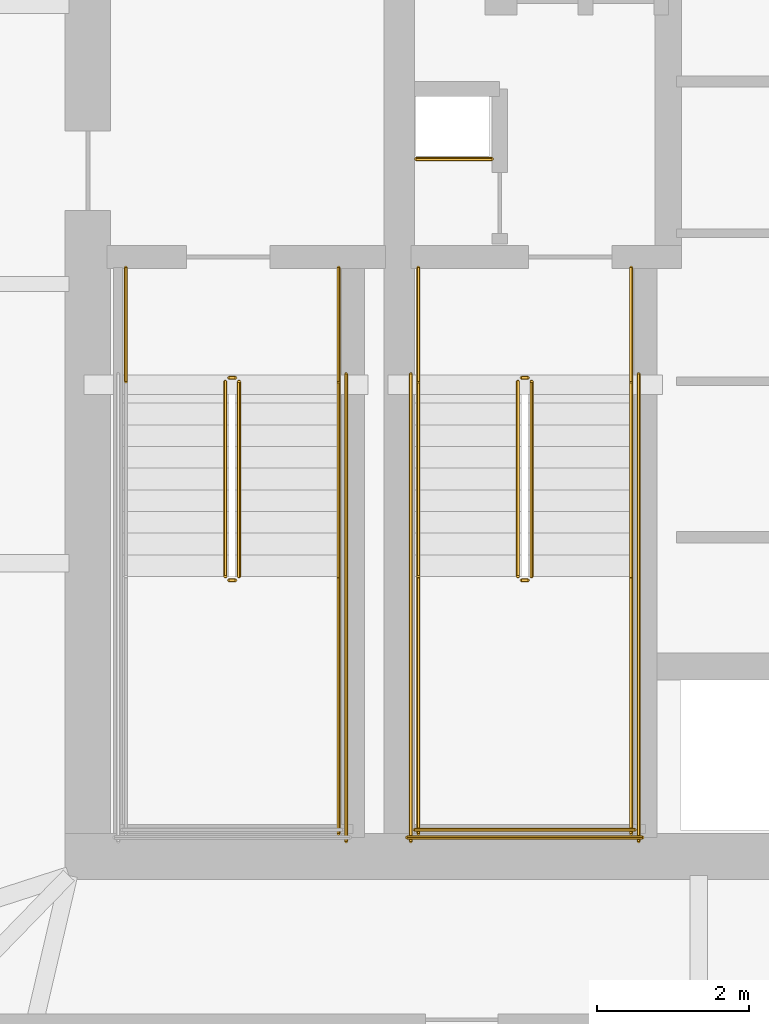
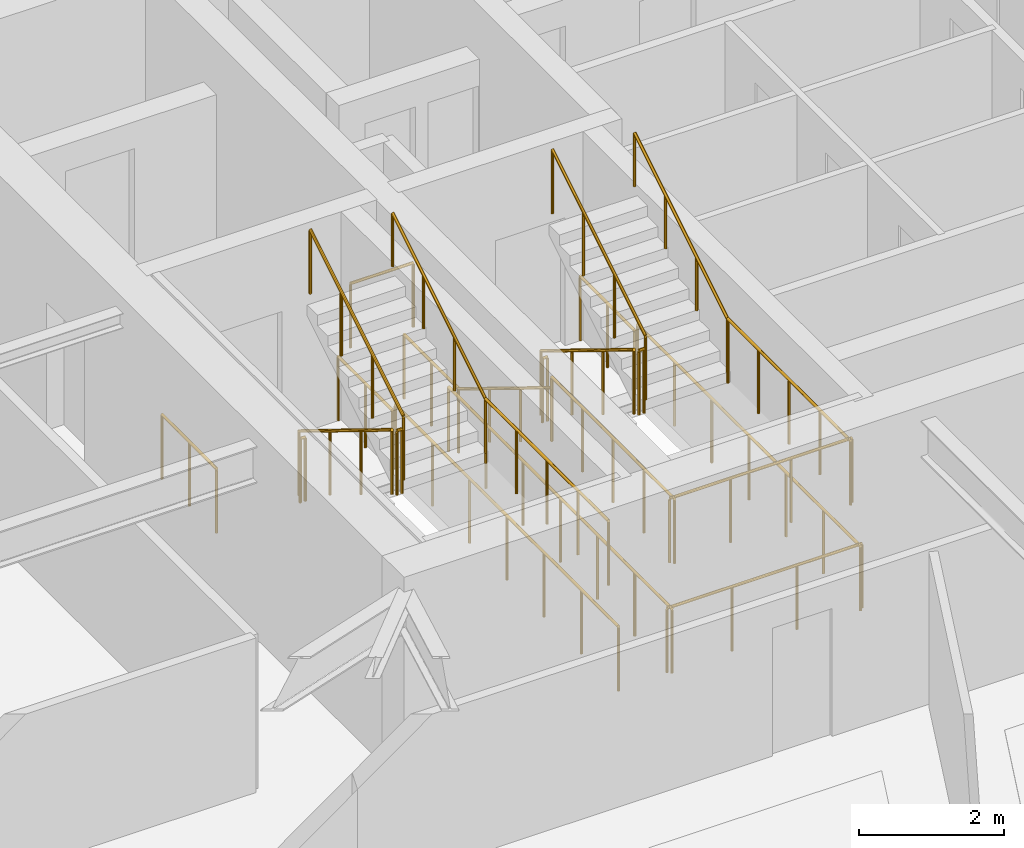
# One storey, part 21 of 23: 24 railings.
"""IFC4 building model written with IfcOpenShell, lengths in metres."""

from ifc_helpers import new_model, si_unit, direction, frame, origin, origin_2d, place, context, subcontext, project, spatial, circle, extrude, material, type_object, element, save


model = new_model("IFC4")

# Units and contexts
model_context = context("Model", 3, precision=1e-05, world=origin(), true_north=direction((0.0, 1.0)))
body_context = subcontext(model_context, "Body", "Model", "MODEL_VIEW")
ifc_project = project(units=[si_unit("LENGTHUNIT", "METRE"), si_unit("AREAUNIT", "SQUARE_METRE"), si_unit("VOLUMEUNIT", "CUBIC_METRE"), si_unit("PLANEANGLEUNIT", "RADIAN"), si_unit("MASSUNIT", "GRAM", prefix="KILO")], contexts=[model_context])

# Site, building, storey
site_placement = place(None, origin())
site = spatial("IfcSite", under=ifc_project, at=site_placement, CompositionType="ELEMENT")
building_placement = place(site_placement, origin())
building = spatial("IfcBuilding", under=site, at=building_placement, Name="Bramvorn Convention Spire", CompositionType="ELEMENT")
storey_placement = place(building_placement, frame((0.0, 0.0, 69.39990234375)))
storey = spatial("IfcBuildingStorey", under=building, at=storey_placement, Name="L15", CompositionType="ELEMENT", Elevation=69.39990234375)

# Railings
ifc_material_1 = material(Name="Painted Steel Balustrade & Guardrail", Category="steel")
railing_type_1 = type_object("IfcRailingType", Name="RL-STAIR-GUARD-1100", PredefinedType="GUARDRAIL", material=ifc_material_1)
railing_1_placement = place(storey_placement, frame((28.81005859375, 25.050048828125, 0.175048828125)))
element("IfcRailing", 1, at=railing_1_placement, inside=storey, type_object=railing_type_1, Name="L15 ST1 stair guard 1", PredefinedType="GUARDRAIL", context=body_context, shape_type="SweptSolid", body=[
    extrude(circle(Radius=0.02392578125, at=origin_2d()), frame((0.0, 0.0, 1.076171875), z_axis=(0.0, -0.852173129349, 0.523259933127), x_axis=(1.0, 0.0, 0.0)), (0.0, 0.0, 1.0), 3.009765625),
    extrude(circle(Radius=0.02099609375, at=origin_2d()), origin(), (0.0, 0.0, 1.0), 1.052001953125),
    extrude(circle(Radius=0.02099609375, at=origin_2d()), frame((0.0, -0.85498046875, 0.52490234375)), (0.0, 0.0, 1.0), 1.052001953125),
    extrude(circle(Radius=0.02099609375, at=origin_2d()), frame((0.0, -1.7099609375, 1.050048828125)), (0.0, 0.0, 1.0), 1.052001953125),
    extrude(circle(Radius=0.02099609375, at=origin_2d()), frame((0.0, -2.56494140625, 1.574951171875)), (0.0, 0.0, 1.0), 1.052001953125),
])
railing_2_placement = place(storey_placement, frame((28.860107421875, 22.43505859375, 1.75)))
element("IfcRailing", 2, at=railing_2_placement, inside=storey, type_object=railing_type_1, Name="L15 ST1 stair guard 2", PredefinedType="GUARDRAIL", context=body_context, shape_type="SweptSolid", body=[
    extrude(circle(Radius=0.02392578125, at=origin_2d()), frame((0.0, 0.0, 1.076171875), z_axis=(1.0, 0.0, 0.0), x_axis=(0.0, 1.0, 0.0)), (0.0, 0.0, 1.0), 0.079833984375),
    extrude(circle(Radius=0.02099609375, at=origin_2d()), origin(), (0.0, 0.0, 1.0), 1.052001953125),
    extrude(circle(Radius=0.02099609375, at=origin_2d()), frame((0.079833984375, 0.0, 0.0)), (0.0, 0.0, 1.0), 1.052001953125),
])
railing_3_placement = place(storey_placement, frame((30.300048828125, 22.485107421875, 1.75)))
element("IfcRailing", 3, at=railing_3_placement, inside=storey, type_object=railing_type_1, Name="L15 ST1 stair guard 4", PredefinedType="GUARDRAIL", context=body_context, shape_type="SweptSolid", body=[
    extrude(circle(Radius=0.02392578125, at=origin_2d()), frame((0.0, 0.0, 1.076171875), z_axis=(0.0, -1.0, 0.0), x_axis=(1.0, 0.0, 0.0)), (0.0, 0.0, 1.0), 3.385009765625),
    extrude(circle(Radius=0.02099609375, at=origin_2d()), origin(), (0.0, 0.0, 1.0), 1.052001953125),
    extrude(circle(Radius=0.02099609375, at=origin_2d()), frame((0.0, -0.84619140625, 0.0)), (0.0, 0.0, 1.0), 1.052001953125),
    extrude(circle(Radius=0.02099609375, at=origin_2d()), frame((0.0, -1.6923828125, 0.0)), (0.0, 0.0, 1.0), 1.052001953125),
    extrude(circle(Radius=0.02099609375, at=origin_2d()), frame((0.0, -2.538818359375, 0.0)), (0.0, 0.0, 1.0), 1.052001953125),
    extrude(circle(Radius=0.02099609375, at=origin_2d()), frame((0.0, -3.385009765625, 0.0)), (0.0, 0.0, 1.0), 1.052001953125),
])
railing_4_placement = place(storey_placement, frame((28.989990234375, 22.485107421875, 1.925048828125)))
element("IfcRailing", 4, at=railing_4_placement, inside=storey, type_object=railing_type_1, Name="L15 ST1 stair guard 6", PredefinedType="GUARDRAIL", context=body_context, shape_type="SweptSolid", body=[
    extrude(circle(Radius=0.02392578125, at=origin_2d()), frame((0.0, 0.0, 1.076171875), z_axis=(0.0, 0.852173129349, 0.523259933127), x_axis=(-1.0, 0.0, 0.0)), (0.0, 0.0, 1.0), 3.009765625),
    extrude(circle(Radius=0.02099609375, at=origin_2d()), origin(), (0.0, 0.0, 1.0), 1.052001953125),
    extrude(circle(Radius=0.02099609375, at=origin_2d()), frame((0.0, 0.85498046875, 0.52490234375)), (0.0, 0.0, 1.0), 1.052001953125),
    extrude(circle(Radius=0.02099609375, at=origin_2d()), frame((0.0, 1.7099609375, 1.050048828125)), (0.0, 0.0, 1.0), 1.052001953125),
    extrude(circle(Radius=0.02099609375, at=origin_2d()), frame((0.0, 2.56494140625, 1.574951171875)), (0.0, 0.0, 1.0), 1.052001953125),
])
railing_5_placement = place(storey_placement, frame((28.860107421875, 25.10009765625, 0.0)))
element("IfcRailing", 5, at=railing_5_placement, inside=storey, type_object=railing_type_1, Name="L15 ST1 stair guard 7", PredefinedType="GUARDRAIL", context=body_context, shape_type="SweptSolid", body=[
    extrude(circle(Radius=0.02392578125, at=origin_2d()), frame((0.0, 0.0, 1.076171875), z_axis=(1.0, 0.0, 0.0), x_axis=(0.0, 1.0, 0.0)), (0.0, 0.0, 1.0), 0.079833984375),
    extrude(circle(Radius=0.02099609375, at=origin_2d()), origin(), (0.0, 0.0, 1.0), 1.052001953125),
    extrude(circle(Radius=0.02099609375, at=origin_2d()), frame((0.079833984375, 0.0, 0.0)), (0.0, 0.0, 1.0), 1.052001953125),
])
for number, where, name in (
    (6, (27.5, 26.550048828125, 0.0), "L15 ST1 stair guard 8"),
    (7, (30.300048828125, 26.550048828125, 0.0), "L15 ST1 stair guard 9"),
):
    element("IfcRailing", number, at=place(storey_placement, frame(where)), inside=storey, type_object=railing_type_1, Name=name, PredefinedType="GUARDRAIL", context=body_context, shape_type="SweptSolid", body=[
        extrude(circle(Radius=0.02392578125, at=origin_2d()), frame((0.0, 0.0, 1.076171875), z_axis=(0.0, -1.0, 0.0), x_axis=(1.0, 0.0, 0.0)), (0.0, 0.0, 1.0), 1.5),
        extrude(circle(Radius=0.02099609375, at=origin_2d()), origin(), (0.0, 0.0, 1.0), 1.052001953125),
        extrude(circle(Radius=0.02099609375, at=origin_2d()), frame((0.0, -0.75, 0.0)), (0.0, 0.0, 1.0), 1.052001953125),
        extrude(circle(Radius=0.02099609375, at=origin_2d()), frame((0.0, -1.5, 0.0)), (0.0, 0.0, 1.0), 1.052001953125),
    ])
railing_6_placement = place(storey_placement, frame((30.39990234375, 25.14990234375, 0.0)))
element("IfcRailing", 8, at=railing_6_placement, inside=storey, type_object=railing_type_1, Name="L15 ST1 stair guard 11", PredefinedType="GUARDRAIL", context=body_context, shape_type="SweptSolid", body=[
    extrude(circle(Radius=0.02392578125, at=origin_2d()), frame((0.0, 0.0, 1.076171875), z_axis=(0.0, -1.0, 0.0), x_axis=(1.0, 0.0, 0.0)), (0.0, 0.0, 1.0), 6.14990234375),
    extrude(circle(Radius=0.02099609375, at=origin_2d()), origin(), (0.0, 0.0, 1.0), 1.052001953125),
    extrude(circle(Radius=0.02099609375, at=origin_2d()), frame((0.0, -1.02490234375, 0.0)), (0.0, 0.0, 1.0), 1.052001953125),
    extrude(circle(Radius=0.02099609375, at=origin_2d()), frame((0.0, -2.050048828125, 0.0)), (0.0, 0.0, 1.0), 1.052001953125),
    extrude(circle(Radius=0.02099609375, at=origin_2d()), frame((0.0, -3.074951171875, 0.0)), (0.0, 0.0, 1.0), 1.052001953125),
    extrude(circle(Radius=0.02099609375, at=origin_2d()), frame((0.0, -4.099853515625, 0.0)), (0.0, 0.0, 1.0), 1.052001953125),
    extrude(circle(Radius=0.02099609375, at=origin_2d()), frame((0.0, -5.125, 0.0)), (0.0, 0.0, 1.0), 1.052001953125),
    extrude(circle(Radius=0.02099609375, at=origin_2d()), frame((0.0, -6.14990234375, 0.0)), (0.0, 0.0, 1.0), 1.052001953125),
])
railing_7_placement = place(storey_placement, frame((32.659912109375, 25.050048828125, 0.175048828125)))
element("IfcRailing", 9, at=railing_7_placement, inside=storey, type_object=railing_type_1, Name="L15 ST3 stair guard 1", PredefinedType="GUARDRAIL", context=body_context, shape_type="SweptSolid", body=[
    extrude(circle(Radius=0.02392578125, at=origin_2d()), frame((0.0, 0.0, 1.076171875), z_axis=(0.0, -0.852173129349, 0.523259933127), x_axis=(1.0, 0.0, 0.0)), (0.0, 0.0, 1.0), 3.009765625),
    extrude(circle(Radius=0.02099609375, at=origin_2d()), origin(), (0.0, 0.0, 1.0), 1.052001953125),
    extrude(circle(Radius=0.02099609375, at=origin_2d()), frame((0.0, -0.85498046875, 0.52490234375)), (0.0, 0.0, 1.0), 1.052001953125),
    extrude(circle(Radius=0.02099609375, at=origin_2d()), frame((0.0, -1.7099609375, 1.050048828125)), (0.0, 0.0, 1.0), 1.052001953125),
    extrude(circle(Radius=0.02099609375, at=origin_2d()), frame((0.0, -2.56494140625, 1.574951171875)), (0.0, 0.0, 1.0), 1.052001953125),
])
railing_8_placement = place(storey_placement, frame((32.7099609375, 22.43505859375, 1.75)))
element("IfcRailing", 10, at=railing_8_placement, inside=storey, type_object=railing_type_1, Name="L15 ST3 stair guard 2", PredefinedType="GUARDRAIL", context=body_context, shape_type="SweptSolid", body=[
    extrude(circle(Radius=0.02392578125, at=origin_2d()), frame((0.0, 0.0, 1.076171875), z_axis=(1.0, 0.0, 0.0), x_axis=(0.0, 1.0, 0.0)), (0.0, 0.0, 1.0), 0.080078125),
    extrude(circle(Radius=0.02099609375, at=origin_2d()), origin(), (0.0, 0.0, 1.0), 1.052001953125),
    extrude(circle(Radius=0.02099609375, at=origin_2d()), frame((0.080078125, 0.0, 0.0)), (0.0, 0.0, 1.0), 1.052001953125),
])
for number, where, name in (
    (11, (31.35009765625, 22.485107421875, 1.75), "L15 ST3 stair guard 3"),
    (12, (34.14990234375, 22.485107421875, 1.75), "L15 ST3 stair guard 4"),
):
    element("IfcRailing", number, at=place(storey_placement, frame(where)), inside=storey, type_object=railing_type_1, Name=name, PredefinedType="GUARDRAIL", context=body_context, shape_type="SweptSolid", body=[
        extrude(circle(Radius=0.02392578125, at=origin_2d()), frame((0.0, 0.0, 1.076171875), z_axis=(0.0, -1.0, 0.0), x_axis=(1.0, 0.0, 0.0)), (0.0, 0.0, 1.0), 3.385009765625),
        extrude(circle(Radius=0.02099609375, at=origin_2d()), origin(), (0.0, 0.0, 1.0), 1.052001953125),
        extrude(circle(Radius=0.02099609375, at=origin_2d()), frame((0.0, -0.84619140625, 0.0)), (0.0, 0.0, 1.0), 1.052001953125),
        extrude(circle(Radius=0.02099609375, at=origin_2d()), frame((0.0, -1.6923828125, 0.0)), (0.0, 0.0, 1.0), 1.052001953125),
        extrude(circle(Radius=0.02099609375, at=origin_2d()), frame((0.0, -2.538818359375, 0.0)), (0.0, 0.0, 1.0), 1.052001953125),
        extrude(circle(Radius=0.02099609375, at=origin_2d()), frame((0.0, -3.385009765625, 0.0)), (0.0, 0.0, 1.0), 1.052001953125),
    ])
railing_9_placement = place(storey_placement, frame((31.300048828125, 19.14990234375, 1.75)))
element("IfcRailing", 13, at=railing_9_placement, inside=storey, type_object=railing_type_1, Name="L15 ST3 stair guard 5", PredefinedType="GUARDRAIL", context=body_context, shape_type="SweptSolid", body=[
    extrude(circle(Radius=0.02392578125, at=origin_2d()), frame((0.0, 0.0, 1.076171875), z_axis=(1.0, 0.0, 0.0), x_axis=(0.0, 1.0, 0.0)), (0.0, 0.0, 1.0), 2.89990234375),
    extrude(circle(Radius=0.02099609375, at=origin_2d()), origin(), (0.0, 0.0, 1.0), 1.052001953125),
    extrude(circle(Radius=0.02099609375, at=origin_2d()), frame((0.966552734375, 0.0, 0.0)), (0.0, 0.0, 1.0), 1.052001953125),
    extrude(circle(Radius=0.02099609375, at=origin_2d()), frame((1.933349609375, 0.0, 0.0)), (0.0, 0.0, 1.0), 1.052001953125),
    extrude(circle(Radius=0.02099609375, at=origin_2d()), frame((2.89990234375, 0.0, 0.0)), (0.0, 0.0, 1.0), 1.052001953125),
])
railing_10_placement = place(storey_placement, frame((32.840087890625, 22.485107421875, 1.925048828125)))
element("IfcRailing", 14, at=railing_10_placement, inside=storey, type_object=railing_type_1, Name="L15 ST3 stair guard 6", PredefinedType="GUARDRAIL", context=body_context, shape_type="SweptSolid", body=[
    extrude(circle(Radius=0.02392578125, at=origin_2d()), frame((0.0, 0.0, 1.076171875), z_axis=(0.0, 0.852173129349, 0.523259933127), x_axis=(-1.0, 0.0, 0.0)), (0.0, 0.0, 1.0), 3.009765625),
    extrude(circle(Radius=0.02099609375, at=origin_2d()), origin(), (0.0, 0.0, 1.0), 1.052001953125),
    extrude(circle(Radius=0.02099609375, at=origin_2d()), frame((0.0, 0.85498046875, 0.52490234375)), (0.0, 0.0, 1.0), 1.052001953125),
    extrude(circle(Radius=0.02099609375, at=origin_2d()), frame((0.0, 1.7099609375, 1.050048828125)), (0.0, 0.0, 1.0), 1.052001953125),
    extrude(circle(Radius=0.02099609375, at=origin_2d()), frame((0.0, 2.56494140625, 1.574951171875)), (0.0, 0.0, 1.0), 1.052001953125),
])
railing_11_placement = place(storey_placement, frame((32.7099609375, 25.10009765625, 0.0)))
element("IfcRailing", 15, at=railing_11_placement, inside=storey, type_object=railing_type_1, Name="L15 ST3 stair guard 7", PredefinedType="GUARDRAIL", context=body_context, shape_type="SweptSolid", body=[
    extrude(circle(Radius=0.02392578125, at=origin_2d()), frame((0.0, 0.0, 1.076171875), z_axis=(1.0, 0.0, 0.0), x_axis=(0.0, 1.0, 0.0)), (0.0, 0.0, 1.0), 0.080078125),
    extrude(circle(Radius=0.02099609375, at=origin_2d()), origin(), (0.0, 0.0, 1.0), 1.052001953125),
    extrude(circle(Radius=0.02099609375, at=origin_2d()), frame((0.080078125, 0.0, 0.0)), (0.0, 0.0, 1.0), 1.052001953125),
])
for number, where, name in (
    (16, (31.35009765625, 26.550048828125, 0.0), "L15 ST3 stair guard 8"),
    (17, (34.14990234375, 26.550048828125, 0.0), "L15 ST3 stair guard 9"),
):
    element("IfcRailing", number, at=place(storey_placement, frame(where)), inside=storey, type_object=railing_type_1, Name=name, PredefinedType="GUARDRAIL", context=body_context, shape_type="SweptSolid", body=[
        extrude(circle(Radius=0.02392578125, at=origin_2d()), frame((0.0, 0.0, 1.076171875), z_axis=(0.0, -1.0, 0.0), x_axis=(1.0, 0.0, 0.0)), (0.0, 0.0, 1.0), 1.5),
        extrude(circle(Radius=0.02099609375, at=origin_2d()), origin(), (0.0, 0.0, 1.0), 1.052001953125),
        extrude(circle(Radius=0.02099609375, at=origin_2d()), frame((0.0, -0.75, 0.0)), (0.0, 0.0, 1.0), 1.052001953125),
        extrude(circle(Radius=0.02099609375, at=origin_2d()), frame((0.0, -1.5, 0.0)), (0.0, 0.0, 1.0), 1.052001953125),
    ])
for number, where, name in (
    (18, (31.25, 25.14990234375, 0.0), "L15 ST3 stair guard 10"),
    (19, (34.25, 25.14990234375, 0.0), "L15 ST3 stair guard 11"),
):
    element("IfcRailing", number, at=place(storey_placement, frame(where)), inside=storey, type_object=railing_type_1, Name=name, PredefinedType="GUARDRAIL", context=body_context, shape_type="SweptSolid", body=[
        extrude(circle(Radius=0.02392578125, at=origin_2d()), frame((0.0, 0.0, 1.076171875), z_axis=(0.0, -1.0, 0.0), x_axis=(1.0, 0.0, 0.0)), (0.0, 0.0, 1.0), 6.14990234375),
        extrude(circle(Radius=0.02099609375, at=origin_2d()), origin(), (0.0, 0.0, 1.0), 1.052001953125),
        extrude(circle(Radius=0.02099609375, at=origin_2d()), frame((0.0, -1.02490234375, 0.0)), (0.0, 0.0, 1.0), 1.052001953125),
        extrude(circle(Radius=0.02099609375, at=origin_2d()), frame((0.0, -2.050048828125, 0.0)), (0.0, 0.0, 1.0), 1.052001953125),
        extrude(circle(Radius=0.02099609375, at=origin_2d()), frame((0.0, -3.074951171875, 0.0)), (0.0, 0.0, 1.0), 1.052001953125),
        extrude(circle(Radius=0.02099609375, at=origin_2d()), frame((0.0, -4.099853515625, 0.0)), (0.0, 0.0, 1.0), 1.052001953125),
        extrude(circle(Radius=0.02099609375, at=origin_2d()), frame((0.0, -5.125, 0.0)), (0.0, 0.0, 1.0), 1.052001953125),
        extrude(circle(Radius=0.02099609375, at=origin_2d()), frame((0.0, -6.14990234375, 0.0)), (0.0, 0.0, 1.0), 1.052001953125),
    ])
railing_12_placement = place(storey_placement, frame((31.199951171875, 19.050048828125, 0.0)))
element("IfcRailing", 20, at=railing_12_placement, inside=storey, type_object=railing_type_1, Name="L15 ST3 stair guard 12", PredefinedType="GUARDRAIL", context=body_context, shape_type="SweptSolid", body=[
    extrude(circle(Radius=0.02392578125, at=origin_2d()), frame((0.0, 0.0, 1.076171875), z_axis=(1.0, 0.0, 0.0), x_axis=(0.0, 1.0, 0.0)), (0.0, 0.0, 1.0), 3.10009765625),
    extrude(circle(Radius=0.02099609375, at=origin_2d()), origin(), (0.0, 0.0, 1.0), 1.052001953125),
    extrude(circle(Radius=0.02099609375, at=origin_2d()), frame((1.033447265625, 0.0, 0.0)), (0.0, 0.0, 1.0), 1.052001953125),
    extrude(circle(Radius=0.02099609375, at=origin_2d()), frame((2.066650390625, 0.0, 0.0)), (0.0, 0.0, 1.0), 1.052001953125),
    extrude(circle(Radius=0.02099609375, at=origin_2d()), frame((3.10009765625, 0.0, 0.0)), (0.0, 0.0, 1.0), 1.052001953125),
])
railing_13_placement = place(storey_placement, frame((31.320068359375, 27.97998046875, 0.0)))
element("IfcRailing", 21, at=railing_13_placement, inside=storey, type_object=railing_type_1, Name="L15 Telecom riser shaft opening safety guardrail", PredefinedType="GUARDRAIL", context=body_context, shape_type="SweptSolid", body=[
    extrude(circle(Radius=0.02392578125, at=origin_2d()), frame((0.0, 0.0, 1.076171875), z_axis=(1.0, 0.0, 0.0), x_axis=(0.0, 1.0, 0.0)), (0.0, 0.0, 1.0), 1.0),
    extrude(circle(Radius=0.02099609375, at=origin_2d()), origin(), (0.0, 0.0, 1.0), 1.052001953125),
    extrude(circle(Radius=0.02099609375, at=origin_2d()), frame((1.0, 0.0, 0.0)), (0.0, 0.0, 1.0), 1.052001953125),
])
ifc_material_2 = material(Name="Brushed Bronze Tubular Handrail", Category="aluminium")
railing_type_2 = type_object("IfcRailingType", Name="RL-STAIR-HR-920", PredefinedType="HANDRAIL", material=ifc_material_2)
railing_14_placement = place(storey_placement, frame((30.300048828125, 22.485107421875, 1.925048828125)))
element("IfcRailing", 22, at=railing_14_placement, inside=storey, type_object=railing_type_2, Name="L15 ST1 stair handrail 2", PredefinedType="HANDRAIL", context=body_context, shape_type="SweptSolid", body=[
    extrude(circle(Radius=0.02392578125, at=origin_2d()), frame((0.0, 0.0, 0.89599609375), z_axis=(0.0, 0.852173129349, 0.523259933127), x_axis=(-1.0, 0.0, 0.0)), (0.0, 0.0, 1.0), 3.009765625),
    extrude(circle(Radius=0.02099609375, at=origin_2d()), origin(), (0.0, 0.0, 1.0), 0.871826171875),
    extrude(circle(Radius=0.02099609375, at=origin_2d()), frame((0.0, 0.85498046875, 0.52490234375)), (0.0, 0.0, 1.0), 0.871826171875),
    extrude(circle(Radius=0.02099609375, at=origin_2d()), frame((0.0, 1.7099609375, 1.050048828125)), (0.0, 0.0, 1.0), 0.871826171875),
    extrude(circle(Radius=0.02099609375, at=origin_2d()), frame((0.0, 2.56494140625, 1.574951171875)), (0.0, 0.0, 1.0), 0.871826171875),
])
railing_15_placement = place(storey_placement, frame((31.35009765625, 25.050048828125, 0.175048828125)))
element("IfcRailing", 23, at=railing_15_placement, inside=storey, type_object=railing_type_2, Name="L15 ST3 stair handrail 1", PredefinedType="HANDRAIL", context=body_context, shape_type="SweptSolid", body=[
    extrude(circle(Radius=0.02392578125, at=origin_2d()), frame((0.0, 0.0, 0.89599609375), z_axis=(0.0, -0.852173129349, 0.523259933127), x_axis=(1.0, 0.0, 0.0)), (0.0, 0.0, 1.0), 3.009765625),
    extrude(circle(Radius=0.02099609375, at=origin_2d()), origin(), (0.0, 0.0, 1.0), 0.871826171875),
    extrude(circle(Radius=0.02099609375, at=origin_2d()), frame((0.0, -0.85498046875, 0.52490234375)), (0.0, 0.0, 1.0), 0.871826171875),
    extrude(circle(Radius=0.02099609375, at=origin_2d()), frame((0.0, -1.7099609375, 1.050048828125)), (0.0, 0.0, 1.0), 0.871826171875),
    extrude(circle(Radius=0.02099609375, at=origin_2d()), frame((0.0, -2.56494140625, 1.574951171875)), (0.0, 0.0, 1.0), 0.871826171875),
])
railing_16_placement = place(storey_placement, frame((34.14990234375, 22.485107421875, 1.925048828125)))
element("IfcRailing", 24, at=railing_16_placement, inside=storey, type_object=railing_type_2, Name="L15 ST3 stair handrail 2", PredefinedType="HANDRAIL", context=body_context, shape_type="SweptSolid", body=[
    extrude(circle(Radius=0.02392578125, at=origin_2d()), frame((0.0, 0.0, 0.89599609375), z_axis=(0.0, 0.852173129349, 0.523259933127), x_axis=(-1.0, 0.0, 0.0)), (0.0, 0.0, 1.0), 3.009765625),
    extrude(circle(Radius=0.02099609375, at=origin_2d()), origin(), (0.0, 0.0, 1.0), 0.871826171875),
    extrude(circle(Radius=0.02099609375, at=origin_2d()), frame((0.0, 0.85498046875, 0.52490234375)), (0.0, 0.0, 1.0), 0.871826171875),
    extrude(circle(Radius=0.02099609375, at=origin_2d()), frame((0.0, 1.7099609375, 1.050048828125)), (0.0, 0.0, 1.0), 0.871826171875),
    extrude(circle(Radius=0.02099609375, at=origin_2d()), frame((0.0, 2.56494140625, 1.574951171875)), (0.0, 0.0, 1.0), 0.871826171875),
])

save(model, "model.ifc")
